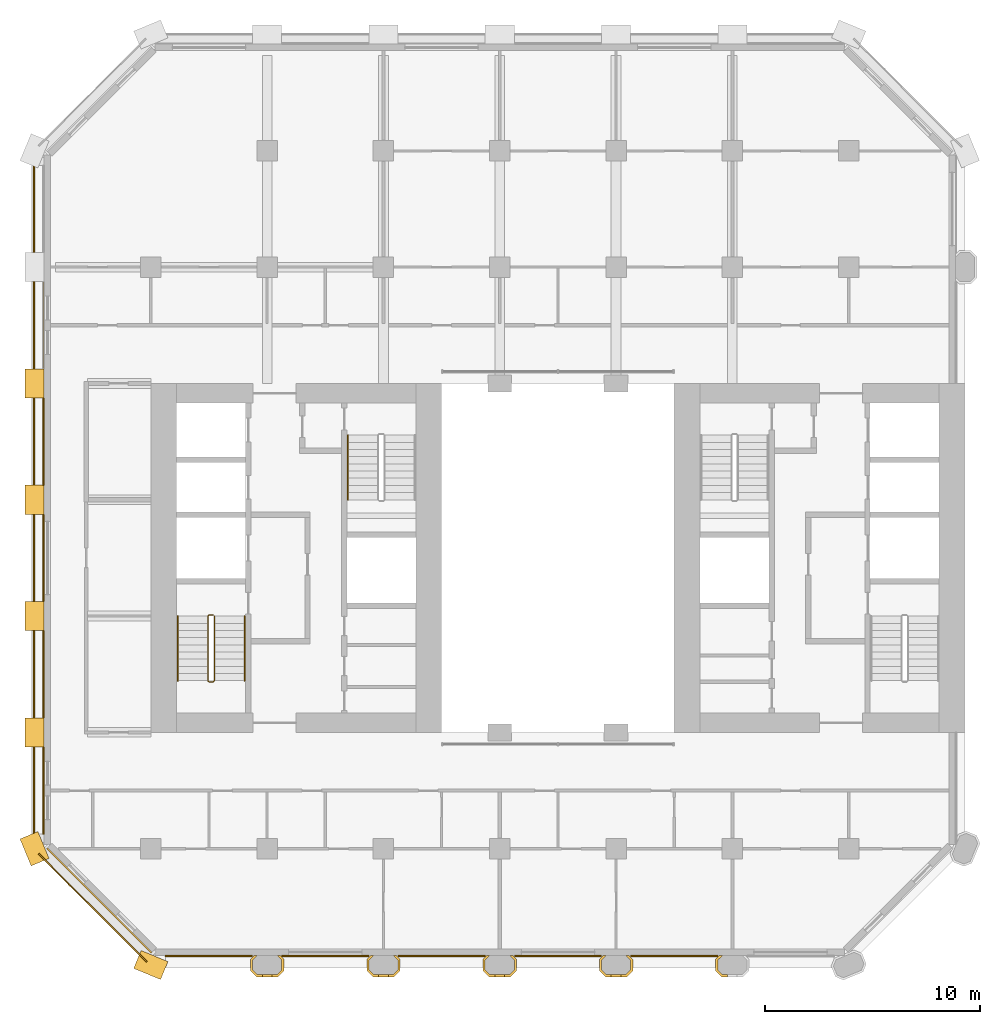
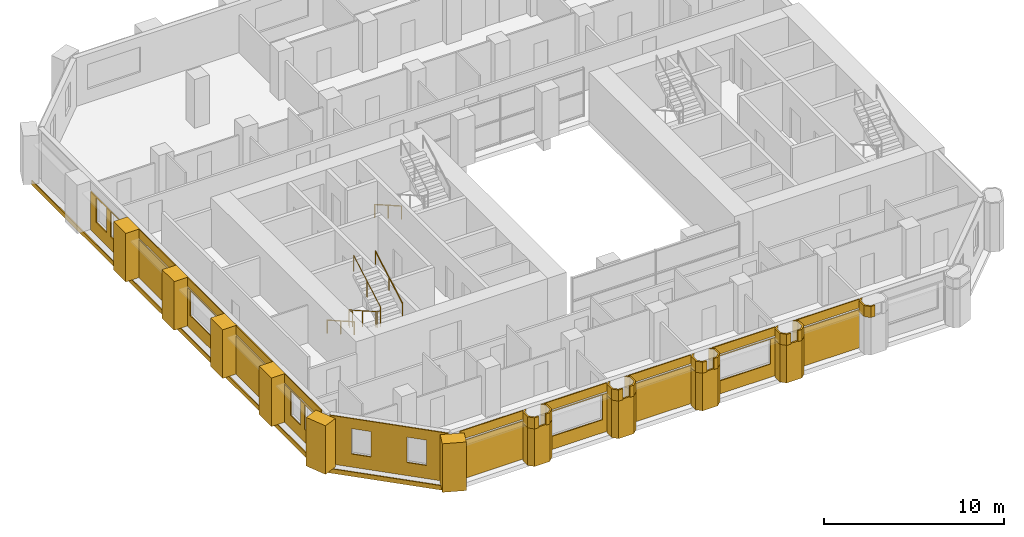
# One storey, part 11 of 13: 41 coverings, 4 railings.
"""IFC4 building model written with IfcOpenShell, lengths in metres."""

from ifc_helpers import new_model, si_unit, direction, frame, frame_2d, origin, origin_2d, place, context, subcontext, project, spatial, polyline, rectangle, circle, outline, extrude, material, layer, layer_set, type_object, element, save


model = new_model("IFC4")

# Units and contexts
model_context = context("Model", 3, precision=1e-05, world=origin(), true_north=direction((0.0, 1.0)))
body_context = subcontext(model_context, "Body", "Model", "MODEL_VIEW")
ifc_project = project(units=[si_unit("LENGTHUNIT", "METRE"), si_unit("AREAUNIT", "SQUARE_METRE"), si_unit("VOLUMEUNIT", "CUBIC_METRE"), si_unit("PLANEANGLEUNIT", "RADIAN"), si_unit("MASSUNIT", "GRAM", prefix="KILO")], contexts=[model_context])

# Site, building, storey
site_placement = place(None, origin())
site = spatial("IfcSite", under=ifc_project, at=site_placement, CompositionType="ELEMENT")
building_placement = place(site_placement, origin())
building = spatial("IfcBuilding", under=site, at=building_placement, Name="Tabaq Tower and Sports Hall", CompositionType="ELEMENT")
storey_placement = place(building_placement, frame((0.0, 0.0, 122.0)))
storey = spatial("IfcBuildingStorey", under=building, at=storey_placement, Name="L29", CompositionType="ELEMENT", Elevation=122.0)

# Coverings
ifc_material_1 = material(Name="Precast concrete C60/75", Category="concrete")
ifc_layer_1 = layer(ifc_material_1, 0.10009765625)
ifc_layer_set_1 = layer_set([ifc_layer_1], Name="Column cladding 100")
covering_type_1 = type_object("IfcCoveringType", Name="Column cladding 100", PredefinedType="CLADDING", material=ifc_layer_set_1)
covering_1_placement = place(storey_placement, origin())
element("IfcCovering", 1, at=covering_1_placement, inside=storey, type_object=covering_type_1, Name="Column cladding L29 PC-3B-O3", PredefinedType="CLADDING", context=body_context, shape_type="SweptSolid", body=[
    extrude(outline(polyline([(10.025390625, 5.666259765625), (10.208740234375, 5.849609375), (10.349365234375, 5.849609375), (10.124755859375, 5.625244140625), (10.124755859375, 5.1748046875), (10.349853515625, 4.94970703125), (11.250244140625, 4.94970703125), (11.475341796875, 5.1748046875), (11.475341796875, 5.625244140625), (11.250732421875, 5.849609375), (11.391357421875, 5.849609375), (11.57470703125, 5.666259765625), (11.57470703125, 5.1337890625), (11.291259765625, 4.850341796875), (10.30859375, 4.850341796875), (10.025390625, 5.1337890625), (10.025390625, 5.666259765625)])), origin(), (0.0, 0.0, 1.0), 2.60009765625),
])
covering_2_placement = place(storey_placement, frame((0.0, 0.0, 2.550048828125)))
element("IfcCovering", 2, at=covering_2_placement, inside=storey, type_object=covering_type_1, Name="Column cladding L29 PC-3B-O3 head", PredefinedType="CLADDING", context=body_context, shape_type="SweptSolid", body=[
    extrude(outline(polyline([(10.208740234375, 5.849609375), (10.349365234375, 5.849609375), (10.124755859375, 5.625244140625), (10.124755859375, 5.1748046875), (10.349853515625, 4.94970703125), (10.57470703125, 4.94970703125), (10.57470703125, 4.850341796875), (10.30859375, 4.850341796875), (10.025390625, 5.1337890625), (10.025390625, 5.666259765625), (10.208740234375, 5.849609375)])), origin(), (0.0, 0.0, 1.0), 0.75),
])
covering_3_placement = place(storey_placement, frame((0.0, 0.0, 2.550048828125)))
element("IfcCovering", 3, at=covering_3_placement, inside=storey, type_object=covering_type_1, Name="Column cladding L29 PC-3B-O3 head 2", PredefinedType="CLADDING", context=body_context, shape_type="SweptSolid", body=[
    extrude(outline(polyline([(11.250244140625, 4.94970703125), (11.475341796875, 5.1748046875), (11.475341796875, 5.625244140625), (11.250732421875, 5.849609375), (11.391357421875, 5.849609375), (11.57470703125, 5.666259765625), (11.57470703125, 5.1337890625), (11.291259765625, 4.850341796875), (11.025390625, 4.850341796875), (11.025390625, 4.94970703125), (11.250244140625, 4.94970703125)])), origin(), (0.0, 0.0, 1.0), 0.75),
])
covering_4_placement = place(storey_placement, origin())
element("IfcCovering", 4, at=covering_4_placement, inside=storey, type_object=covering_type_1, Name="Column cladding L29 PC-4B-O3", PredefinedType="CLADDING", context=body_context, shape_type="SweptSolid", body=[
    extrude(outline(polyline([(15.42529296875, 5.666259765625), (15.608642578125, 5.849609375), (15.749267578125, 5.849609375), (15.524658203125, 5.625244140625), (15.524658203125, 5.1748046875), (15.749755859375, 4.94970703125), (16.650146484375, 4.94970703125), (16.875244140625, 5.1748046875), (16.875244140625, 5.625244140625), (16.650634765625, 5.849609375), (16.791259765625, 5.849609375), (16.974609375, 5.666259765625), (16.974609375, 5.1337890625), (16.69140625, 4.850341796875), (15.708740234375, 4.850341796875), (15.42529296875, 5.1337890625), (15.42529296875, 5.666259765625)])), origin(), (0.0, 0.0, 1.0), 2.60009765625),
])
covering_5_placement = place(storey_placement, frame((0.0, 0.0, 2.550048828125)))
element("IfcCovering", 5, at=covering_5_placement, inside=storey, type_object=covering_type_1, Name="Column cladding L29 PC-4B-O3 head", PredefinedType="CLADDING", context=body_context, shape_type="SweptSolid", body=[
    extrude(outline(polyline([(16.650146484375, 4.94970703125), (16.875244140625, 5.1748046875), (16.875244140625, 5.625244140625), (16.650634765625, 5.849609375), (16.791259765625, 5.849609375), (16.974609375, 5.666259765625), (16.974609375, 5.1337890625), (16.69140625, 4.850341796875), (16.42529296875, 4.850341796875), (16.42529296875, 4.94970703125), (16.650146484375, 4.94970703125)])), origin(), (0.0, 0.0, 1.0), 0.75),
])
covering_6_placement = place(storey_placement, frame((0.0, 0.0, 2.550048828125)))
element("IfcCovering", 6, at=covering_6_placement, inside=storey, type_object=covering_type_1, Name="Column cladding L29 PC-4B-O3 head 2", PredefinedType="CLADDING", context=body_context, shape_type="SweptSolid", body=[
    extrude(outline(polyline([(15.608642578125, 5.849609375), (15.749267578125, 5.849609375), (15.524658203125, 5.625244140625), (15.524658203125, 5.1748046875), (15.749755859375, 4.94970703125), (15.974609375, 4.94970703125), (15.974609375, 4.850341796875), (15.708740234375, 4.850341796875), (15.42529296875, 5.1337890625), (15.42529296875, 5.666259765625), (15.608642578125, 5.849609375)])), origin(), (0.0, 0.0, 1.0), 0.75),
])
covering_7_placement = place(storey_placement, origin())
element("IfcCovering", 7, at=covering_7_placement, inside=storey, type_object=covering_type_1, Name="Column cladding L29 PC-5B-O3", PredefinedType="CLADDING", context=body_context, shape_type="SweptSolid", body=[
    extrude(outline(polyline([(20.8251953125, 5.666259765625), (21.0087890625, 5.849609375), (21.149169921875, 5.849609375), (20.9248046875, 5.625244140625), (20.9248046875, 5.1748046875), (21.14990234375, 4.94970703125), (22.050048828125, 4.94970703125), (22.275390625, 5.1748046875), (22.275390625, 5.625244140625), (22.05078125, 5.849609375), (22.19140625, 5.849609375), (22.374755859375, 5.666259765625), (22.374755859375, 5.1337890625), (22.09130859375, 4.850341796875), (21.108642578125, 4.850341796875), (20.8251953125, 5.1337890625), (20.8251953125, 5.666259765625)])), origin(), (0.0, 0.0, 1.0), 2.60009765625),
])
covering_8_placement = place(storey_placement, frame((0.0, 0.0, 2.550048828125)))
element("IfcCovering", 8, at=covering_8_placement, inside=storey, type_object=covering_type_1, Name="Column cladding L29 PC-5B-O3 head", PredefinedType="CLADDING", context=body_context, shape_type="SweptSolid", body=[
    extrude(outline(polyline([(21.0087890625, 5.849609375), (21.149169921875, 5.849609375), (20.9248046875, 5.625244140625), (20.9248046875, 5.1748046875), (21.14990234375, 4.94970703125), (21.374755859375, 4.94970703125), (21.374755859375, 4.850341796875), (21.108642578125, 4.850341796875), (20.8251953125, 5.1337890625), (20.8251953125, 5.666259765625), (21.0087890625, 5.849609375)])), origin(), (0.0, 0.0, 1.0), 0.75),
])
covering_9_placement = place(storey_placement, frame((0.0, 0.0, 2.550048828125)))
element("IfcCovering", 9, at=covering_9_placement, inside=storey, type_object=covering_type_1, Name="Column cladding L29 PC-5B-O3 head 2", PredefinedType="CLADDING", context=body_context, shape_type="SweptSolid", body=[
    extrude(outline(polyline([(22.050048828125, 4.94970703125), (22.275390625, 5.1748046875), (22.275390625, 5.625244140625), (22.05078125, 5.849609375), (22.19140625, 5.849609375), (22.374755859375, 5.666259765625), (22.374755859375, 5.1337890625), (22.09130859375, 4.850341796875), (21.8251953125, 4.850341796875), (21.8251953125, 4.94970703125), (22.050048828125, 4.94970703125)])), origin(), (0.0, 0.0, 1.0), 0.75),
])
covering_10_placement = place(storey_placement, origin())
element("IfcCovering", 10, at=covering_10_placement, inside=storey, type_object=covering_type_1, Name="Column cladding L29 PC-6B-O3", PredefinedType="CLADDING", context=body_context, shape_type="SweptSolid", body=[
    extrude(outline(polyline([(26.225341796875, 5.666259765625), (26.40869140625, 5.849609375), (26.54931640625, 5.849609375), (26.32470703125, 5.625244140625), (26.32470703125, 5.1748046875), (26.5498046875, 4.94970703125), (27.4501953125, 4.94970703125), (27.67529296875, 5.1748046875), (27.67529296875, 5.625244140625), (27.45068359375, 5.849609375), (27.59130859375, 5.849609375), (27.774658203125, 5.666259765625), (27.774658203125, 5.1337890625), (27.4912109375, 4.850341796875), (26.5087890625, 4.850341796875), (26.225341796875, 5.1337890625), (26.225341796875, 5.666259765625)])), origin(), (0.0, 0.0, 1.0), 2.60009765625),
])
covering_11_placement = place(storey_placement, frame((0.0, 0.0, 2.550048828125)))
element("IfcCovering", 11, at=covering_11_placement, inside=storey, type_object=covering_type_1, Name="Column cladding L29 PC-6B-O3 head", PredefinedType="CLADDING", context=body_context, shape_type="SweptSolid", body=[
    extrude(outline(polyline([(26.40869140625, 5.849609375), (26.54931640625, 5.849609375), (26.32470703125, 5.625244140625), (26.32470703125, 5.1748046875), (26.5498046875, 4.94970703125), (26.774658203125, 4.94970703125), (26.774658203125, 4.850341796875), (26.5087890625, 4.850341796875), (26.225341796875, 5.1337890625), (26.225341796875, 5.666259765625), (26.40869140625, 5.849609375)])), origin(), (0.0, 0.0, 1.0), 0.75),
])
covering_12_placement = place(storey_placement, frame((0.0, 0.0, 2.550048828125)))
element("IfcCovering", 12, at=covering_12_placement, inside=storey, type_object=covering_type_1, Name="Column cladding L29 PC-6B-O3 head 2", PredefinedType="CLADDING", context=body_context, shape_type="SweptSolid", body=[
    extrude(outline(polyline([(27.4501953125, 4.94970703125), (27.67529296875, 5.1748046875), (27.67529296875, 5.625244140625), (27.45068359375, 5.849609375), (27.59130859375, 5.849609375), (27.774658203125, 5.666259765625), (27.774658203125, 5.1337890625), (27.4912109375, 4.850341796875), (27.225341796875, 4.850341796875), (27.225341796875, 4.94970703125), (27.4501953125, 4.94970703125)])), origin(), (0.0, 0.0, 1.0), 0.75),
])
covering_13_placement = place(storey_placement, frame((0.0, 0.0, 2.550048828125)))
element("IfcCovering", 13, at=covering_13_placement, inside=storey, type_object=covering_type_1, Name="Column cladding L29 PC-7B-O3 head 2", PredefinedType="CLADDING", context=body_context, shape_type="SweptSolid", body=[
    extrude(outline(polyline([(31.80859375, 5.849609375), (31.94921875, 5.849609375), (31.724609375, 5.625244140625), (31.724609375, 5.1748046875), (31.949951171875, 4.94970703125), (32.1748046875, 4.94970703125), (32.1748046875, 4.850341796875), (31.90869140625, 4.850341796875), (31.625244140625, 5.1337890625), (31.625244140625, 5.666259765625), (31.80859375, 5.849609375)])), origin(), (0.0, 0.0, 1.0), 0.75),
])
ifc_material_2 = material(Name="Precast concrete C60/75", Category="concrete")
ifc_layer_2 = layer(ifc_material_2, 0.06005859375)
ifc_layer_set_2 = layer_set([ifc_layer_2], Name="Edge beam cladding 60")
covering_type_2 = type_object("IfcCoveringType", Name="Edge beam cladding 60", PredefinedType="CLADDING", material=ifc_layer_set_2)
covering_14_placement = place(storey_placement, frame((-0.030029296875, 42.9013671875, -0.300048828125), z_axis=(0.0, 0.0, 1.0), x_axis=(0.0, -1.0, 0.0)))
element("IfcCovering", 14, at=covering_14_placement, inside=storey, type_object=covering_type_2, Name="Edge beam cladding L29 4", PredefinedType="CLADDING", context=body_context, shape_type="SweptSolid", body=[
    extrude(rectangle(XDim=31.802734375, YDim=0.06005859375, at=frame_2d((15.9013671875, 0.0))), origin(), (0.0, 0.0, 1.0), 0.300048828125),
])
covering_15_placement = place(storey_placement, frame((0.18994140625, 10.567626953125, -0.300048828125), z_axis=(0.0, 0.0, 1.0), x_axis=(0.707106781187, -0.707106781187, 0.0)))
element("IfcCovering", 15, at=covering_15_placement, inside=storey, type_object=covering_type_2, Name="Edge beam cladding L29 5", PredefinedType="CLADDING", context=body_context, shape_type="SweptSolid", body=[
    extrude(rectangle(XDim=7.087890625, YDim=0.06005859375, at=frame_2d((3.5439453125, 0.0))), origin(), (0.0, 0.0, 1.0), 0.300048828125),
])
ifc_material_3 = material(Name="White precast concrete C60/75", Category="concrete")
covering_type_3 = type_object("IfcCoveringType", Name="Pier cladding hung 1350x900", PredefinedType="CLADDING", material=ifc_material_3)
for number, where, z_axis, x_axis, name in (
    (16, (-0.25830078125, 11.423583984375, 0.0), (0.0, 0.0, 1.0), (0.382649923473, -0.923893411637, 0.0), "Hung pier cladding 0/2"),
    (17, (0.0, 16.875, 0.0), (0.0, 0.0, 1.0), (0.0, -1.0, 0.0), "Hung pier cladding 0/3"),
):
    element("IfcCovering", number, at=place(storey_placement, frame(where, z_axis=z_axis, x_axis=x_axis)), inside=storey, type_object=covering_type_3, Name=name, PredefinedType="CLADDING", context=body_context, shape_type="SweptSolid", body=[
        extrude(rectangle(XDim=1.35009765625, YDim=0.89990234375, at=frame_2d((0.675048828125, 0.0))), origin(), (0.0, 0.0, 1.0), 3.300048828125),
    ])
covering_16_placement = place(storey_placement, frame((0.0, 22.27490234375, 0.0), z_axis=(0.0, 0.0, 1.0), x_axis=(0.0, -1.0, 0.0)))
element("IfcCovering", 18, at=covering_16_placement, inside=storey, type_object=covering_type_3, Name="Hung pier cladding 0/4", PredefinedType="CLADDING", context=body_context, shape_type="SweptSolid", body=[
    extrude(rectangle(XDim=1.349853515625, YDim=0.89990234375, at=frame_2d((0.6748046875, 0.0))), origin(), (0.0, 0.0, 1.0), 3.300048828125),
])
covering_17_placement = place(storey_placement, frame((0.0, 27.675048828125, 0.0), z_axis=(0.0, 0.0, 1.0), x_axis=(0.0, -1.0, 0.0)))
element("IfcCovering", 19, at=covering_17_placement, inside=storey, type_object=covering_type_3, Name="Hung pier cladding 0/5", PredefinedType="CLADDING", context=body_context, shape_type="SweptSolid", body=[
    extrude(rectangle(XDim=1.35009765625, YDim=0.89990234375, at=frame_2d((0.675048828125, 0.0))), origin(), (0.0, 0.0, 1.0), 3.300048828125),
])
covering_18_placement = place(storey_placement, frame((0.0, 33.074951171875, 0.0), z_axis=(0.0, 0.0, 1.0), x_axis=(0.0, -1.0, 0.0)))
element("IfcCovering", 20, at=covering_18_placement, inside=storey, type_object=covering_type_3, Name="Hung pier cladding 0/6", PredefinedType="CLADDING", context=body_context, shape_type="SweptSolid", body=[
    extrude(rectangle(XDim=1.349853515625, YDim=0.89990234375, at=frame_2d((0.6748046875, 0.0))), origin(), (0.0, 0.0, 1.0), 3.300048828125),
])
covering_19_placement = place(storey_placement, frame((4.7763671875, 5.658203125, 0.0), z_axis=(0.0, 0.0, 1.0), x_axis=(0.923893411637, -0.382649923473, 0.0)))
element("IfcCovering", 21, at=covering_19_placement, inside=storey, type_object=covering_type_3, Name="Hung pier cladding 1/1", PredefinedType="CLADDING", context=body_context, shape_type="SweptSolid", body=[
    extrude(rectangle(XDim=1.35009765625, YDim=0.89990234375, at=frame_2d((0.675048828125, 0.0))), origin(), (0.0, 0.0, 1.0), 3.300048828125),
])

# Railings
ifc_material_4 = material(Name="Stainless steel", Category="steel")
railing_type_1 = type_object("IfcRailingType", Name="Stair guard", PredefinedType="GUARDRAIL", material=ifc_material_4)
railing_1_placement = place(storey_placement, frame((8.300048828125, 21.64990234375, 0.0)))
element("IfcRailing", 22, at=railing_1_placement, inside=storey, type_object=railing_type_1, Name="L29 ST1 stair guard 1", PredefinedType="GUARDRAIL", context=body_context, shape_type="SweptSolid", body=[
    extrude(circle(Radius=0.02392578125, at=origin_2d()), frame((0.0, 0.0, 1.076171875), z_axis=(-1.0, 0.0, 0.0), x_axis=(0.0, -1.0, 0.0)), (0.0, 0.0, 1.0), 0.199951171875),
    extrude(circle(Radius=0.02392578125, at=origin_2d()), frame((-0.199951171875, 0.0, 1.076171875), z_axis=(-0.246983470365, -0.245778672949, 0.937332389972), x_axis=(0.705375805398, -0.708833529934, 0.0)), (0.0, 0.0, 1.0), 0.20263671875),
    extrude(circle(Radius=0.02392578125, at=origin_2d()), frame((-0.25, -0.0498046875, 1.26611328125), z_axis=(0.0, -0.868782136927, 0.495194505781), x_axis=(1.0, 0.0, 0.0)), (0.0, 0.0, 1.0), 3.453125),
    extrude(circle(Radius=0.02392578125, at=origin_2d()), frame((-0.25, -3.0498046875, 2.97607421875), z_axis=(0.707106781187, -0.707106781187, 0.0), x_axis=(0.707106781187, 0.707106781187, 0.0)), (0.0, 0.0, 1.0), 0.07080078125),
    extrude(circle(Radius=0.02392578125, at=origin_2d()), frame((-0.199951171875, -3.099853515625, 2.97607421875), z_axis=(1.0, 0.0, 0.0), x_axis=(0.0, 1.0, 0.0)), (0.0, 0.0, 1.0), 0.199951171875),
    extrude(circle(Radius=0.02392578125, at=origin_2d()), frame((0.0, -3.099853515625, 2.97607421875), z_axis=(0.246631811833, 0.246631811833, 0.937200884967), x_axis=(-0.707106781187, 0.707106781187, 0.0)), (0.0, 0.0, 1.0), 0.202880859375),
    extrude(circle(Radius=0.02392578125, at=origin_2d()), frame((0.050048828125, -3.0498046875, 3.166015625), z_axis=(0.0, 0.868782136927, 0.495194505781), x_axis=(-1.0, 0.0, 0.0)), (0.0, 0.0, 1.0), 3.453125),
    extrude(circle(Radius=0.02099609375, at=origin_2d()), origin(), (0.0, 0.0, 1.0), 1.052001953125),
    extrude(circle(Radius=0.02099609375, at=origin_2d()), frame((-0.199951171875, 0.0, 0.0)), (0.0, 0.0, 1.0), 1.052001953125),
    extrude(circle(Radius=0.02099609375, at=origin_2d()), frame((-0.25, -0.0498046875, 0.18994140625)), (0.0, 0.0, 1.0), 1.052001953125),
    extrude(circle(Radius=0.02099609375, at=origin_2d()), frame((-0.25, -1.5498046875, 1.044921875)), (0.0, 0.0, 1.0), 1.052001953125),
    extrude(circle(Radius=0.02099609375, at=origin_2d()), frame((-0.25, -3.0498046875, 1.89990234375)), (0.0, 0.0, 1.0), 1.052001953125),
    extrude(circle(Radius=0.02099609375, at=origin_2d()), frame((-0.199951171875, -3.099853515625, 1.89990234375)), (0.0, 0.0, 1.0), 1.052001953125),
    extrude(circle(Radius=0.02099609375, at=origin_2d()), frame((0.0, -3.099853515625, 1.89990234375)), (0.0, 0.0, 1.0), 1.052001953125),
    extrude(circle(Radius=0.02099609375, at=origin_2d()), frame((0.050048828125, -3.0498046875, 2.090087890625)), (0.0, 0.0, 1.0), 1.052001953125),
    extrude(circle(Radius=0.02099609375, at=origin_2d()), frame((0.050048828125, -1.5498046875, 2.945068359375)), (0.0, 0.0, 1.0), 1.052001953125),
    extrude(circle(Radius=0.02099609375, at=origin_2d()), frame((0.050048828125, -0.0498046875, 3.800048828125)), (0.0, 0.0, 1.0), 1.052001953125),
])
ifc_material_5 = material(Name="Stainless steel", Category="steel")
railing_type_2 = type_object("IfcRailingType", Name="Stair handrail", PredefinedType="HANDRAIL", material=ifc_material_5)
railing_2_placement = place(storey_placement, frame((6.64990234375, 21.60009765625, 0.18994140625)))
element("IfcRailing", 23, at=railing_2_placement, inside=storey, type_object=railing_type_2, Name="L29 ST1 stair handrail 1", PredefinedType="HANDRAIL", context=body_context, shape_type="SweptSolid", body=[
    extrude(circle(Radius=0.02392578125, at=origin_2d()), frame((0.0, 0.0, 0.8759765625), z_axis=(0.0, -0.868782136927, 0.495194505781), x_axis=(1.0, 0.0, 0.0)), (0.0, 0.0, 1.0), 3.453125),
    extrude(circle(Radius=0.02099609375, at=origin_2d()), origin(), (0.0, 0.0, 1.0), 0.851806640625),
    extrude(circle(Radius=0.02099609375, at=origin_2d()), frame((0.0, -1.5, 0.85498046875)), (0.0, 0.0, 1.0), 0.851806640625),
    extrude(circle(Radius=0.02099609375, at=origin_2d()), frame((0.0, -3.0, 1.7099609375)), (0.0, 0.0, 1.0), 0.851806640625),
])
railing_3_placement = place(storey_placement, frame((9.75, 18.60009765625, 2.090087890625)))
element("IfcRailing", 24, at=railing_3_placement, inside=storey, type_object=railing_type_2, Name="L29 ST1 stair handrail 2", PredefinedType="HANDRAIL", context=body_context, shape_type="SweptSolid", body=[
    extrude(circle(Radius=0.02392578125, at=origin_2d()), frame((0.0, 0.0, 0.8759765625), z_axis=(0.0, 0.868782136927, 0.495194505781), x_axis=(-1.0, 0.0, 0.0)), (0.0, 0.0, 1.0), 3.453125),
    extrude(circle(Radius=0.02099609375, at=origin_2d()), origin(), (0.0, 0.0, 1.0), 0.851806640625),
    extrude(circle(Radius=0.02099609375, at=origin_2d()), frame((0.0, 1.5, 0.85498046875)), (0.0, 0.0, 1.0), 0.851806640625),
    extrude(circle(Radius=0.02099609375, at=origin_2d()), frame((0.0, 3.0, 1.7099609375)), (0.0, 0.0, 1.0), 0.851806640625),
])
railing_4_placement = place(storey_placement, frame((14.550048828125, 30.0, 0.18994140625)))
element("IfcRailing", 25, at=railing_4_placement, inside=storey, type_object=railing_type_2, Name="L29 ST2 stair handrail 1", PredefinedType="HANDRAIL", context=body_context, shape_type="SweptSolid", body=[
    extrude(circle(Radius=0.02392578125, at=origin_2d()), frame((0.0, 0.0, 0.8759765625), z_axis=(0.0, -0.868782136927, 0.495194505781), x_axis=(1.0, 0.0, 0.0)), (0.0, 0.0, 1.0), 3.453125),
    extrude(circle(Radius=0.02099609375, at=origin_2d()), origin(), (0.0, 0.0, 1.0), 0.851806640625),
    extrude(circle(Radius=0.02099609375, at=origin_2d()), frame((0.0, -1.5, 0.85498046875)), (0.0, 0.0, 1.0), 0.851806640625),
    extrude(circle(Radius=0.02099609375, at=origin_2d()), frame((0.0, -3.0, 1.7099609375)), (0.0, 0.0, 1.0), 0.851806640625),
])

# Coverings
ifc_material_6 = material(Name="Precast concrete C60/75", Category="concrete")
ifc_layer_3 = layer(ifc_material_6, 0.06005859375)
ifc_layer_set_3 = layer_set([ifc_layer_3], Name="White precast cladding panel 60 C60/75")
covering_type_4 = type_object("IfcCoveringType", Name="White precast cladding panel 60 C60/75", PredefinedType="CLADDING", material=ifc_layer_set_3)
covering_20_placement = place(storey_placement, frame((6.06494140625, 5.820068359375, 0.0), z_axis=(0.0, 0.0, 1.0), x_axis=(1.0, 0.0, 0.0)))
element("IfcCovering", 26, at=covering_20_placement, inside=storey, type_object=covering_type_4, Name="White precast cladding panel L29 wall00", PredefinedType="CLADDING", context=body_context, shape_type="SweptSolid", body=[
    extrude(rectangle(XDim=4.050048828125, YDim=0.06005859375, at=frame_2d((2.02490234375, 0.0))), origin(), (0.0, 0.0, 1.0), 2.590087890625),
])
covering_21_placement = place(storey_placement, frame((6.06494140625, 5.820068359375, 2.7099609375), z_axis=(0.0, 0.0, 1.0), x_axis=(1.0, 0.0, 0.0)))
element("IfcCovering", 27, at=covering_21_placement, inside=storey, type_object=covering_type_4, Name="White precast cladding panel L29 wall00 2", PredefinedType="CLADDING", context=body_context, shape_type="SweptSolid", body=[
    extrude(rectangle(XDim=4.050048828125, YDim=0.06005859375, at=frame_2d((2.02490234375, 0.0))), origin(), (0.0, 0.0, 1.0), 0.590087890625),
])
covering_22_placement = place(storey_placement, frame((11.485107421875, 5.820068359375, 0.0), z_axis=(0.0, 0.0, 1.0), x_axis=(1.0, 0.0, 0.0)))
element("IfcCovering", 28, at=covering_22_placement, inside=storey, type_object=covering_type_4, Name="White precast cladding panel L29 wall00 3", PredefinedType="CLADDING", context=body_context, shape_type="SweptSolid", body=[
    extrude(outline(polyline([(0.0, 0.0), (4.02978515625, 0.0), (4.02978515625, 2.590087890625), (0.0, 2.590087890625), (0.0, 0.0)]), holes=[polyline([(3.72509765625, 0.889892578125), (0.304931640625, 0.889892578125), (0.304931640625, 2.56005859375), (3.72509765625, 2.56005859375), (3.72509765625, 0.889892578125)])]), frame((0.0, 0.030029296875, 0.0), z_axis=(0.0, -1.0, 0.0), x_axis=(1.0, 0.0, 0.0)), (0.0, 0.0, 1.0), 0.06005859375),
])
covering_23_placement = place(storey_placement, frame((11.485107421875, 5.820068359375, 2.7099609375), z_axis=(0.0, 0.0, 1.0), x_axis=(1.0, 0.0, 0.0)))
element("IfcCovering", 29, at=covering_23_placement, inside=storey, type_object=covering_type_4, Name="White precast cladding panel L29 wall00 4", PredefinedType="CLADDING", context=body_context, shape_type="SweptSolid", body=[
    extrude(rectangle(XDim=4.02978515625, YDim=0.06005859375, at=frame_2d((2.014892578125, 0.0))), origin(), (0.0, 0.0, 1.0), 0.590087890625),
])
covering_24_placement = place(storey_placement, frame((16.885009765625, 5.820068359375, 0.0), z_axis=(0.0, 0.0, 1.0), x_axis=(1.0, 0.0, 0.0)))
element("IfcCovering", 30, at=covering_24_placement, inside=storey, type_object=covering_type_4, Name="White precast cladding panel L29 wall00 5", PredefinedType="CLADDING", context=body_context, shape_type="SweptSolid", body=[
    extrude(rectangle(XDim=4.030029296875, YDim=0.06005859375, at=frame_2d((2.01513671875, 0.0))), origin(), (0.0, 0.0, 1.0), 2.590087890625),
])
covering_25_placement = place(storey_placement, frame((16.885009765625, 5.820068359375, 2.7099609375), z_axis=(0.0, 0.0, 1.0), x_axis=(1.0, 0.0, 0.0)))
element("IfcCovering", 31, at=covering_25_placement, inside=storey, type_object=covering_type_4, Name="White precast cladding panel L29 wall00 6", PredefinedType="CLADDING", context=body_context, shape_type="SweptSolid", body=[
    extrude(rectangle(XDim=4.030029296875, YDim=0.06005859375, at=frame_2d((2.01513671875, 0.0))), origin(), (0.0, 0.0, 1.0), 0.590087890625),
])
covering_26_placement = place(storey_placement, frame((22.284912109375, 5.820068359375, 0.0), z_axis=(0.0, 0.0, 1.0), x_axis=(1.0, 0.0, 0.0)))
element("IfcCovering", 32, at=covering_26_placement, inside=storey, type_object=covering_type_4, Name="White precast cladding panel L29 wall00 7", PredefinedType="CLADDING", context=body_context, shape_type="SweptSolid", body=[
    extrude(outline(polyline([(0.0, 0.0), (4.030029296875, 0.0), (4.030029296875, 2.590087890625), (0.0, 2.590087890625), (0.0, 0.0)]), holes=[polyline([(3.72509765625, 0.889892578125), (0.304931640625, 0.889892578125), (0.304931640625, 2.56005859375), (3.72509765625, 2.56005859375), (3.72509765625, 0.889892578125)])]), frame((0.0, 0.030029296875, 0.0), z_axis=(0.0, -1.0, 0.0), x_axis=(1.0, 0.0, 0.0)), (0.0, 0.0, 1.0), 0.06005859375),
])
covering_27_placement = place(storey_placement, frame((22.284912109375, 5.820068359375, 2.7099609375), z_axis=(0.0, 0.0, 1.0), x_axis=(1.0, 0.0, 0.0)))
element("IfcCovering", 33, at=covering_27_placement, inside=storey, type_object=covering_type_4, Name="White precast cladding panel L29 wall00 8", PredefinedType="CLADDING", context=body_context, shape_type="SweptSolid", body=[
    extrude(rectangle(XDim=4.030029296875, YDim=0.06005859375, at=frame_2d((2.01513671875, 0.0))), origin(), (0.0, 0.0, 1.0), 0.590087890625),
])
covering_28_placement = place(storey_placement, frame((27.68505859375, 5.820068359375, 0.0), z_axis=(0.0, 0.0, 1.0), x_axis=(1.0, 0.0, 0.0)))
element("IfcCovering", 34, at=covering_28_placement, inside=storey, type_object=covering_type_4, Name="White precast cladding panel L29 wall00 9", PredefinedType="CLADDING", context=body_context, shape_type="SweptSolid", body=[
    extrude(rectangle(XDim=4.030029296875, YDim=0.06005859375, at=frame_2d((2.01513671875, 0.0))), origin(), (0.0, 0.0, 1.0), 2.590087890625),
])
covering_29_placement = place(storey_placement, frame((27.68505859375, 5.820068359375, 2.7099609375), z_axis=(0.0, 0.0, 1.0), x_axis=(1.0, 0.0, 0.0)))
element("IfcCovering", 35, at=covering_29_placement, inside=storey, type_object=covering_type_4, Name="White precast cladding panel L29 wall00 10", PredefinedType="CLADDING", context=body_context, shape_type="SweptSolid", body=[
    extrude(rectangle(XDim=4.030029296875, YDim=0.06005859375, at=frame_2d((2.01513671875, 0.0))), origin(), (0.0, 0.0, 1.0), 0.590087890625),
])
covering_30_placement = place(storey_placement, frame((0.419921875, 37.114990234375, 0.0), z_axis=(0.0, 0.0, 1.0), x_axis=(0.0, -1.0, 0.0)))
element("IfcCovering", 36, at=covering_30_placement, inside=storey, type_object=covering_type_4, Name="White precast cladding panel L29 wall06 3", PredefinedType="CLADDING", context=body_context, shape_type="SweptSolid", body=[
    extrude(outline(polyline([(0.0, 0.0), (4.030029296875, 0.0), (4.030029296875, 2.590087890625), (0.0, 2.590087890625), (0.0, 0.0)]), holes=[polyline([(0.655029296875, 0.889892578125), (0.655029296875, 2.56005859375), (1.77490234375, 2.56005859375), (1.77490234375, 0.889892578125), (0.655029296875, 0.889892578125)]), polyline([(2.2548828125, 0.889892578125), (2.2548828125, 2.56005859375), (3.375, 2.56005859375), (3.375, 0.889892578125), (2.2548828125, 0.889892578125)])]), frame((0.0, 0.030029296875, 0.0), z_axis=(0.0, -1.0, 0.0), x_axis=(1.0, 0.0, 0.0)), (0.0, 0.0, 1.0), 0.06005859375),
])
covering_31_placement = place(storey_placement, frame((0.419921875, 31.715087890625, 0.0), z_axis=(0.0, 0.0, 1.0), x_axis=(0.0, -1.0, 0.0)))
element("IfcCovering", 37, at=covering_31_placement, inside=storey, type_object=covering_type_4, Name="White precast cladding panel L29 wall06 5", PredefinedType="CLADDING", context=body_context, shape_type="SweptSolid", body=[
    extrude(rectangle(XDim=4.030029296875, YDim=0.06005859375, at=frame_2d((2.01513671875, 0.0))), origin(), (0.0, 0.0, 1.0), 2.590087890625),
])
covering_32_placement = place(storey_placement, frame((0.419921875, 31.715087890625, 2.7099609375), z_axis=(0.0, 0.0, 1.0), x_axis=(0.0, -1.0, 0.0)))
element("IfcCovering", 38, at=covering_32_placement, inside=storey, type_object=covering_type_4, Name="White precast cladding panel L29 wall06 6", PredefinedType="CLADDING", context=body_context, shape_type="SweptSolid", body=[
    extrude(rectangle(XDim=4.030029296875, YDim=0.06005859375, at=frame_2d((2.01513671875, 0.0))), origin(), (0.0, 0.0, 1.0), 0.590087890625),
])
covering_33_placement = place(storey_placement, frame((0.419921875, 26.31494140625, 0.0), z_axis=(0.0, 0.0, 1.0), x_axis=(0.0, -1.0, 0.0)))
element("IfcCovering", 39, at=covering_33_placement, inside=storey, type_object=covering_type_4, Name="White precast cladding panel L29 wall06 7", PredefinedType="CLADDING", context=body_context, shape_type="SweptSolid", body=[
    extrude(outline(polyline([(0.0, 0.0), (4.030029296875, 0.0), (4.030029296875, 2.590087890625), (0.0, 2.590087890625), (0.0, 0.0)]), holes=[polyline([(3.72509765625, 0.889892578125), (0.304931640625, 0.889892578125), (0.304931640625, 2.56005859375), (3.72509765625, 2.56005859375), (3.72509765625, 0.889892578125)])]), frame((0.0, 0.030029296875, 0.0), z_axis=(0.0, -1.0, 0.0), x_axis=(1.0, 0.0, 0.0)), (0.0, 0.0, 1.0), 0.06005859375),
])
covering_34_placement = place(storey_placement, frame((0.419921875, 26.31494140625, 2.7099609375), z_axis=(0.0, 0.0, 1.0), x_axis=(0.0, -1.0, 0.0)))
element("IfcCovering", 40, at=covering_34_placement, inside=storey, type_object=covering_type_4, Name="White precast cladding panel L29 wall06 8", PredefinedType="CLADDING", context=body_context, shape_type="SweptSolid", body=[
    extrude(rectangle(XDim=4.030029296875, YDim=0.06005859375, at=frame_2d((2.01513671875, 0.0))), origin(), (0.0, 0.0, 1.0), 0.590087890625),
])
covering_35_placement = place(storey_placement, frame((0.419921875, 20.9150390625, 0.0), z_axis=(0.0, 0.0, 1.0), x_axis=(0.0, -1.0, 0.0)))
element("IfcCovering", 41, at=covering_35_placement, inside=storey, type_object=covering_type_4, Name="White precast cladding panel L29 wall06 9", PredefinedType="CLADDING", context=body_context, shape_type="SweptSolid", body=[
    extrude(rectangle(XDim=4.030029296875, YDim=0.06005859375, at=frame_2d((2.01513671875, 0.0))), origin(), (0.0, 0.0, 1.0), 2.590087890625),
])
covering_36_placement = place(storey_placement, frame((0.419921875, 20.9150390625, 2.7099609375), z_axis=(0.0, 0.0, 1.0), x_axis=(0.0, -1.0, 0.0)))
element("IfcCovering", 42, at=covering_36_placement, inside=storey, type_object=covering_type_4, Name="White precast cladding panel L29 wall06 10", PredefinedType="CLADDING", context=body_context, shape_type="SweptSolid", body=[
    extrude(rectangle(XDim=4.030029296875, YDim=0.06005859375, at=frame_2d((2.01513671875, 0.0))), origin(), (0.0, 0.0, 1.0), 0.590087890625),
])
covering_37_placement = place(storey_placement, frame((0.419921875, 15.514892578125, 0.0), z_axis=(0.0, 0.0, 1.0), x_axis=(0.0, -1.0, 0.0)))
element("IfcCovering", 43, at=covering_37_placement, inside=storey, type_object=covering_type_4, Name="White precast cladding panel L29 wall06 11", PredefinedType="CLADDING", context=body_context, shape_type="SweptSolid", body=[
    extrude(outline(polyline([(0.0, 0.0), (4.0498046875, 0.0), (4.0498046875, 2.590087890625), (0.0, 2.590087890625), (0.0, 0.0)]), holes=[polyline([(0.655029296875, 0.889892578125), (0.655029296875, 2.56005859375), (1.77490234375, 2.56005859375), (1.77490234375, 0.889892578125), (0.655029296875, 0.889892578125)]), polyline([(2.2548828125, 0.889892578125), (2.2548828125, 2.56005859375), (3.375, 2.56005859375), (3.375, 0.889892578125), (2.2548828125, 0.889892578125)])]), frame((0.0, 0.030029296875, 0.0), z_axis=(0.0, -1.0, 0.0), x_axis=(1.0, 0.0, 0.0)), (0.0, 0.0, 1.0), 0.06005859375),
])
covering_38_placement = place(storey_placement, frame((0.419921875, 15.514892578125, 2.7099609375), z_axis=(0.0, 0.0, 1.0), x_axis=(0.0, -1.0, 0.0)))
element("IfcCovering", 44, at=covering_38_placement, inside=storey, type_object=covering_type_4, Name="White precast cladding panel L29 wall06 12", PredefinedType="CLADDING", context=body_context, shape_type="SweptSolid", body=[
    extrude(rectangle(XDim=4.0498046875, YDim=0.06005859375, at=frame_2d((2.02490234375, 0.0))), origin(), (0.0, 0.0, 1.0), 0.590087890625),
])
covering_39_placement = place(storey_placement, frame((0.57177734375, 10.822265625, 0.0), z_axis=(0.0, 0.0, 1.0), x_axis=(0.707106781187, -0.707106781187, 0.0)))
element("IfcCovering", 45, at=covering_39_placement, inside=storey, type_object=covering_type_4, Name="White precast cladding panel L29 wall07", PredefinedType="CLADDING", context=body_context, shape_type="SweptSolid", body=[
    extrude(outline(polyline([(0.0, 0.0), (6.85986328125, 0.0), (6.85986328125, 3.300048828125), (0.0, 3.300048828125), (0.0, 0.0)]), holes=[polyline([(1.269775390625, 2.610107421875), (2.389892578125, 2.610107421875), (2.389892578125, 0.889892578125), (1.269775390625, 0.889892578125), (1.269775390625, 2.610107421875)]), polyline([(4.4697265625, 2.610107421875), (5.58984375, 2.610107421875), (5.58984375, 0.889892578125), (4.4697265625, 0.889892578125), (4.4697265625, 2.610107421875)])]), frame((0.0, 0.030029296875, 0.0), z_axis=(0.0, -1.0, 0.0), x_axis=(1.0, 0.0, 0.0)), (0.0, 0.0, 1.0), 0.06005859375),
])

save(model, "model.ifc")
